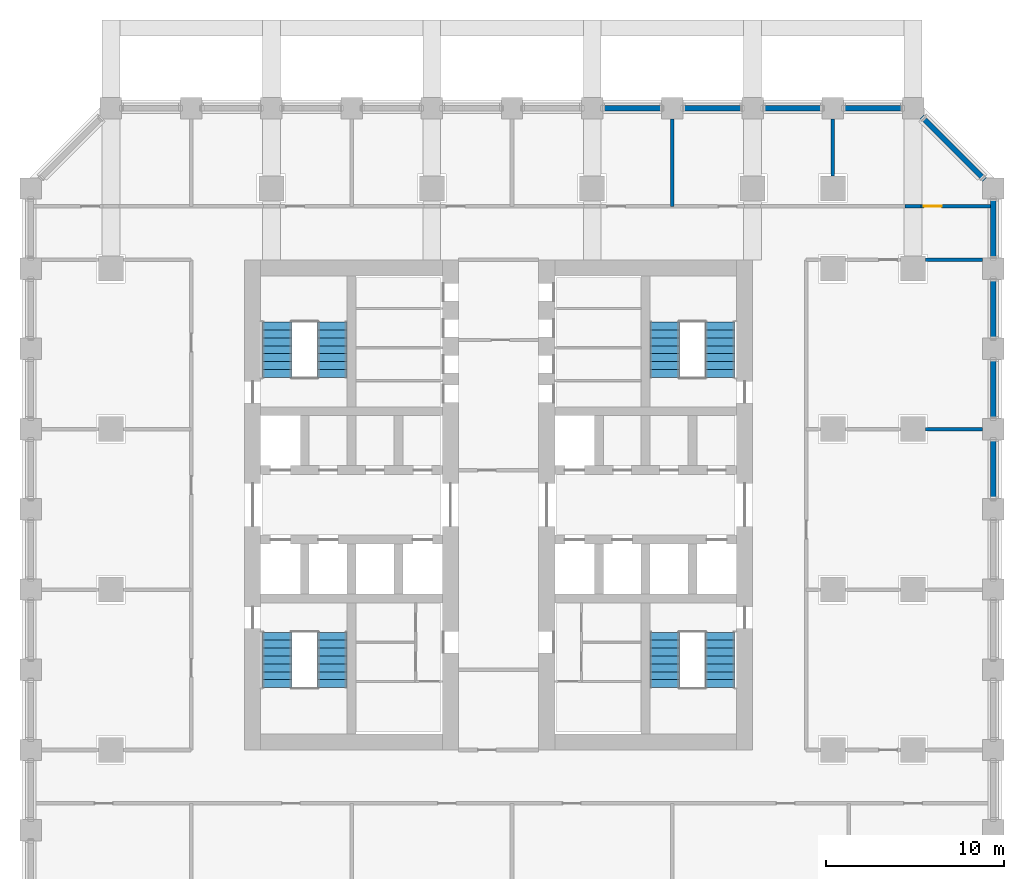
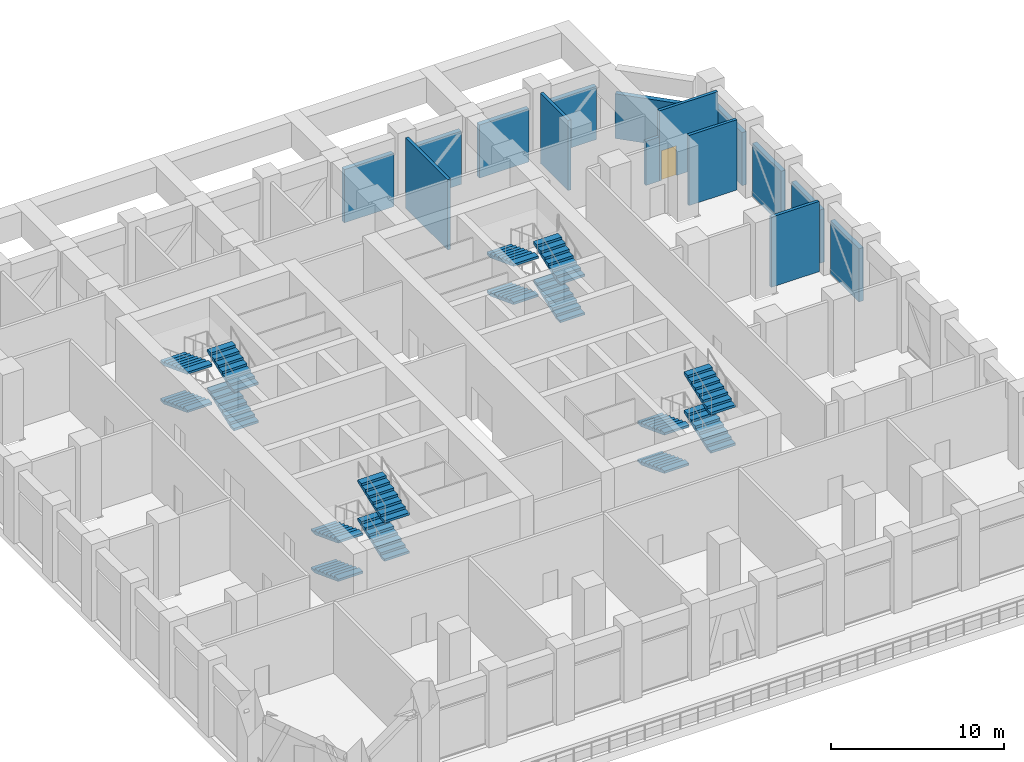
# One storey, part 7 of 20: 16 stair flights, 15 walls, 1 door, 1 opening, 4 elements without a shape of their own.
"""IFC4 building model written with IfcOpenShell, lengths in metres."""

from ifc_helpers import new_model, si_unit, direction, frame, frame_2d, origin, place, context, subcontext, project, spatial, polyline, rectangle, outline, extrude, material, layer, layer_set, type_object, element, fill, aggregate, save


model = new_model("IFC4")

# Units and contexts
model_context = context("Model", 3, precision=1e-05, world=origin(), true_north=direction((0.0, 1.0)))
body_context = subcontext(model_context, "Body", "Model", "MODEL_VIEW")
ifc_project = project(units=[si_unit("LENGTHUNIT", "METRE"), si_unit("AREAUNIT", "SQUARE_METRE"), si_unit("VOLUMEUNIT", "CUBIC_METRE"), si_unit("PLANEANGLEUNIT", "RADIAN"), si_unit("MASSUNIT", "GRAM", prefix="KILO")], contexts=[model_context])

# Site, building, storey
site_placement = place(None, origin())
site = spatial("IfcSite", under=ifc_project, at=site_placement, CompositionType="ELEMENT")
building_placement = place(site_placement, origin())
building = spatial("IfcBuilding", under=site, at=building_placement, Name="Corbel Stack Research Tower", CompositionType="ELEMENT")
storey_placement = place(building_placement, frame((0.0, 0.0, 76.60009765625)))
storey = spatial("IfcBuildingStorey", under=building, at=storey_placement, Name="L17", CompositionType="ELEMENT", Elevation=76.60009765625)

# Walls
ifc_material_1 = material(Name="Fire-rated gypsum board partition on steel studs", Category="steel")
ifc_layer_1 = layer(ifc_material_1, 0.199951171875)
ifc_layer_set_1 = layer_set([ifc_layer_1], Name="Fire-rated gypsum board partition on steel studs")
wall_type_1 = type_object("IfcWallType", Name="Fire-rated partition 200 EI 60", PredefinedType="PARTITIONING", material=ifc_layer_set_1)
wall_1_placement = place(storey_placement, frame((13.5, 21.5, 0.0), z_axis=(0.0, 0.0, 1.0), x_axis=(0.0, 1.0, 0.0)))
element("IfcWall", 1, at=wall_1_placement, inside=storey, type_object=wall_type_1, Name="Partition L17-009", PredefinedType="PARTITIONING", context=body_context, shape_type="SweptSolid", body=[
    extrude(rectangle(XDim=4.89990234375, YDim=0.199951171875, at=frame_2d((2.449951171875, 0.0))), origin(), (0.0, 0.0, 1.0), 4.949951171875),
])
for number, where, z_axis, x_axis, name in (
    (2, (22.5, 23.199951171875, 0.0), (0.0, 0.0, 1.0), (0.0, 1.0, 0.0), "Partition L17-011"),
    (3, (27.699951171875, 9.0, 0.0), (0.0, 0.0, 1.0), (1.0, 0.0, 0.0), "Partition L17-031"),
    (4, (27.699951171875, 18.5, 0.0), (0.0, 0.0, 1.0), (1.0, 0.0, 0.0), "Partition L17-038"),
):
    element("IfcWall", number, at=place(storey_placement, frame(where, z_axis=z_axis, x_axis=x_axis)), inside=storey, type_object=wall_type_1, Name=name, PredefinedType="PARTITIONING", context=body_context, shape_type="SweptSolid", body=[
        extrude(rectangle(XDim=3.199951171875, YDim=0.199951171875, at=frame_2d((1.60009765625, 0.0))), origin(), (0.0, 0.0, 1.0), 4.949951171875),
    ])
wall_2_placement = place(storey_placement, frame((26.550048828125, 21.5, 0.0), z_axis=(0.0, 0.0, 1.0), x_axis=(1.0, 0.0, 0.0)))
element("IfcWall", 5, at=wall_2_placement, inside=storey, type_object=wall_type_1, Name="Partition L17-050", PredefinedType="PARTITIONING", context=body_context, shape_type="SweptSolid", body=[
    extrude(rectangle(XDim=0.89990234375, YDim=0.199951171875, at=frame_2d((0.449951171875, 0.0))), origin(), (0.0, 0.0, 1.0), 3.119873046875),
])

# Wall, opening, door
wall_3_placement = place(storey_placement, frame((27.449951171875, 21.5, 0.0), z_axis=(0.0, 0.0, 1.0), x_axis=(1.0, 0.0, 0.0)))
wall_3 = element("IfcWall", 6, at=wall_3_placement, inside=storey, type_object=wall_type_1, Name="Partition L17-051", PredefinedType="PARTITIONING", context=body_context, shape_type="SweptSolid", body=[
    extrude(rectangle(XDim=3.900146484375, YDim=0.199951171875, at=frame_2d((1.9501953125, 0.0))), origin(), (0.0, 0.0, 1.0), 4.949951171875),
])
opening_placement = place(wall_3_placement, frame((0.14990234375, 0.0, 0.0)))
opening = element("IfcOpeningElement", 7, at=opening_placement, cuts=wall_3, Name="Opening PLANTL17-021", PredefinedType="OPENING", context=body_context, shape_type="SweptSolid", body=[
    extrude(rectangle(XDim=1.0, YDim=2.10009765625, at=frame_2d((0.5, 1.050048828125))), frame((0.0, 0.10986328125, 0.0), z_axis=(0.0, -1.0, 0.0), x_axis=(1.0, 0.0, 0.0)), (0.0, 0.0, 1.0), 0.219970703125),
])
ifc_material_2 = material(Name="Painted steel fire door", Category="steel")
door_type = type_object("IfcDoorType", Name="Fire door FD30S 1000 x 2100", OperationType="NOTDEFINED", PredefinedType="DOOR", material=ifc_material_2)
door_placement = place(opening_placement, origin())
door = element("IfcDoor", 8, at=door_placement, inside=storey, type_object=door_type, Name="Door PLANTL17-021", OperationType="SINGLE_SWING_LEFT", OverallHeight=2.10009765625, OverallWidth=1.0, PredefinedType="DOOR", context=body_context, shape_type="SweptSolid", body=[
    extrude(rectangle(XDim=1.0, YDim=2.10009765625, at=frame_2d((0.5, 1.050048828125))), frame((0.0, 0.02490234375, 0.0), z_axis=(0.0, -1.0, 0.0), x_axis=(1.0, 0.0, 0.0)), (0.0, 0.0, 1.0), 0.050048828125),
])
fill(opening, door)

# Walls
ifc_material_3 = material(Name="Concrete C45/55", Category="concrete")
ifc_layer_2 = layer(ifc_material_3, 0.300048828125)
ifc_layer_set_2 = layer_set([ifc_layer_2], Name="Concrete C45/55")
wall_type_2 = type_object("IfcWallType", Name="Terracotta-faced concrete wall 300", PredefinedType="SOLIDWALL", material=ifc_layer_set_2)
for number, where, z_axis, x_axis, name in (
    (9, (31.5, 8.39990234375, 0.0), (0.0, 0.0, 1.0), (0.0, -1.0, 0.0), "Facade wall L17 E06"),
    (10, (31.5, 12.89990234375, 0.0), (0.0, 0.0, 1.0), (0.0, -1.0, 0.0), "Facade wall L17 E07"),
    (11, (31.5, 17.39990234375, 0.0), (0.0, 0.0, 1.0), (0.0, -1.0, 0.0), "Facade wall L17 E08"),
    (12, (31.5, 21.89990234375, 0.0), (0.0, 0.0, 1.0), (0.0, -1.0, 0.0), "Facade wall L17 E09"),
):
    element("IfcWall", number, at=place(storey_placement, frame(where, z_axis=z_axis, x_axis=x_axis)), inside=storey, type_object=wall_type_2, Name=name, PredefinedType="SOLIDWALL", context=body_context, shape_type="SweptSolid", body=[
        extrude(rectangle(XDim=3.2998046875, YDim=0.300048828125, at=frame_2d((1.64990234375, 0.0))), origin(), (0.0, 0.0, 1.0), 3.75),
    ])
wall_4_placement = place(storey_placement, frame((27.493896484375, 26.506103515625, 0.0), z_axis=(0.0, 0.0, 1.0), x_axis=(0.707106781187, -0.707106781187, 0.0)))
element("IfcWall", 13, at=wall_4_placement, inside=storey, type_object=wall_type_2, Name="Facade wall L17 NE01", PredefinedType="SOLIDWALL", context=body_context, shape_type="SweptSolid", body=[
    extrude(rectangle(XDim=4.967041015625, YDim=0.300048828125, at=frame_2d((2.4833984375, 0.0))), origin(), (0.0, 0.0, 1.0), 3.14990234375),
])
for number, where, z_axis, x_axis, name in (
    (14, (23.10009765625, 27.0, 0.0), (0.0, 0.0, 1.0), (1.0, 0.0, 0.0), "Facade wall L17 N01"),
    (15, (18.60009765625, 27.0, 0.0), (0.0, 0.0, 1.0), (1.0, 0.0, 0.0), "Facade wall L17 N02"),
    (16, (14.10009765625, 27.0, 0.0), (0.0, 0.0, 1.0), (1.0, 0.0, 0.0), "Facade wall L17 N03"),
    (17, (9.60009765625, 27.0, 0.0), (0.0, 0.0, 1.0), (1.0, 0.0, 0.0), "Facade wall L17 N04"),
):
    element("IfcWall", number, at=place(storey_placement, frame(where, z_axis=z_axis, x_axis=x_axis)), inside=storey, type_object=wall_type_2, Name=name, PredefinedType="SOLIDWALL", context=body_context, shape_type="SweptSolid", body=[
        extrude(rectangle(XDim=3.2998046875, YDim=0.300048828125, at=frame_2d((1.64990234375, 0.0))), origin(), (0.0, 0.0, 1.0), 3.75),
    ])

# Stair, stair flights
ifc_material_4 = material(Name="Concrete C40/50", Category="concrete")
stair_type = type_object("IfcStairType", Name="Exit stair 32 risers, 443 going", PredefinedType="HALF_TURN_STAIR", material=ifc_material_4)
stair_1_placement = place(storey_placement, origin())
stair_1 = element("IfcStair", 18, at=stair_1_placement, inside=storey, type_object=stair_type, Name="L17 Exit stair ST-W1", PredefinedType="HALF_TURN_STAIR")
ifc_material_5 = material(Name="Concrete C40/50", Category="concrete")
stair_flight_type = type_object("IfcStairFlightType", Name="Stair flight 8 risers, 443 going", PredefinedType="STRAIGHT", material=ifc_material_5)
stair_flight_1_placement = place(storey_placement, frame((-8.675048828125, -2.39990234375, 0.0), z_axis=(0.0, 0.0, 1.0), x_axis=(0.0, -1.0, 0.0)))
stair_flight_1 = element("IfcStairFlight", 19, at=stair_flight_1_placement, type_object=stair_flight_type, Name="ST-W1 flight 1", NumberOfRisers=8, NumberOfTreads=7, PredefinedType="STRAIGHT", RiserHeight=0.16875, TreadLength=0.443, context=body_context, shape_type="SweptSolid", body=[
    extrude(outline(polyline([(0.0, 0.0), (0.0, 0.168701171875), (0.443115234375, 0.168701171875), (0.443115234375, 0.33740234375), (0.885986328125, 0.33740234375), (0.885986328125, 0.50634765625), (1.3291015625, 0.50634765625), (1.3291015625, 0.675048828125), (1.77197265625, 0.675048828125), (1.77197265625, 0.84375), (2.215087890625, 0.84375), (2.215087890625, 1.012451171875), (2.657958984375, 1.012451171875), (2.657958984375, 1.18115234375), (3.10107421875, 1.18115234375), (3.10107421875, 1.35009765625), (3.10107421875, 1.020751953125), (0.421142578125, 0.0), (0.0, 0.0)])), frame((0.0, 0.824951171875, 0.0), z_axis=(0.0, -1.0, 0.0), x_axis=(1.0, 0.0, 0.0)), (0.0, 0.0, 1.0), 1.64990234375),
])
stair_flight_2_placement = place(storey_placement, frame((-5.574951171875, -5.5009765625, 1.349853515625), z_axis=(0.0, 0.0, 1.0), x_axis=(0.0, 1.0, 0.0)))
stair_flight_2 = element("IfcStairFlight", 20, at=stair_flight_2_placement, type_object=stair_flight_type, Name="ST-W1 flight 2", NumberOfRisers=8, NumberOfTreads=7, PredefinedType="STRAIGHT", RiserHeight=0.16875, TreadLength=0.443, context=body_context, shape_type="SweptSolid", body=[
    extrude(outline(polyline([(0.0, 0.0), (0.0, 0.168701171875), (0.443115234375, 0.168701171875), (0.443115234375, 0.33740234375), (0.885986328125, 0.33740234375), (0.885986328125, 0.50634765625), (1.3291015625, 0.50634765625), (1.3291015625, 0.675048828125), (1.77197265625, 0.675048828125), (1.77197265625, 0.84375), (2.215087890625, 0.84375), (2.215087890625, 1.012451171875), (2.657958984375, 1.012451171875), (2.657958984375, 1.18115234375), (3.10107421875, 1.18115234375), (3.10107421875, 1.35009765625), (3.10107421875, 1.020751953125), (0.421142578125, 0.0), (0.0, 0.0)])), frame((0.0, 0.824951171875, 0.0), z_axis=(0.0, -1.0, 0.0), x_axis=(1.0, 0.0, 0.0)), (0.0, 0.0, 1.0), 1.64990234375),
])
stair_flight_3_placement = place(storey_placement, frame((-8.675048828125, -2.39990234375, 2.699951171875), z_axis=(0.0, 0.0, 1.0), x_axis=(0.0, -1.0, 0.0)))
stair_flight_3 = element("IfcStairFlight", 21, at=stair_flight_3_placement, type_object=stair_flight_type, Name="ST-W1 flight 3", NumberOfRisers=8, NumberOfTreads=7, PredefinedType="STRAIGHT", RiserHeight=0.16875, TreadLength=0.443, context=body_context, shape_type="SweptSolid", body=[
    extrude(outline(polyline([(0.0, 0.0), (0.0, 0.168701171875), (0.443115234375, 0.168701171875), (0.443115234375, 0.33740234375), (0.885986328125, 0.33740234375), (0.885986328125, 0.50634765625), (1.3291015625, 0.50634765625), (1.3291015625, 0.675048828125), (1.77197265625, 0.675048828125), (1.77197265625, 0.84375), (2.215087890625, 0.84375), (2.215087890625, 1.012451171875), (2.657958984375, 1.012451171875), (2.657958984375, 1.18115234375), (3.10107421875, 1.18115234375), (3.10107421875, 1.35009765625), (3.10107421875, 1.020751953125), (0.421142578125, 0.0), (0.0, 0.0)])), frame((0.0, 0.824951171875, 0.0), z_axis=(0.0, -1.0, 0.0), x_axis=(1.0, 0.0, 0.0)), (0.0, 0.0, 1.0), 1.64990234375),
])
stair_flight_4_placement = place(storey_placement, frame((-5.574951171875, -5.5009765625, 4.0498046875), z_axis=(0.0, 0.0, 1.0), x_axis=(0.0, 1.0, 0.0)))
stair_flight_4 = element("IfcStairFlight", 22, at=stair_flight_4_placement, type_object=stair_flight_type, Name="ST-W1 flight 4", NumberOfRisers=8, NumberOfTreads=7, PredefinedType="STRAIGHT", RiserHeight=0.16875, TreadLength=0.443, context=body_context, shape_type="SweptSolid", body=[
    extrude(outline(polyline([(0.0, 0.0), (0.0, 0.168701171875), (0.443115234375, 0.168701171875), (0.443115234375, 0.33740234375), (0.885986328125, 0.33740234375), (0.885986328125, 0.50634765625), (1.3291015625, 0.50634765625), (1.3291015625, 0.675048828125), (1.77197265625, 0.675048828125), (1.77197265625, 0.84375), (2.215087890625, 0.84375), (2.215087890625, 1.012451171875), (2.657958984375, 1.012451171875), (2.657958984375, 1.18115234375), (3.10107421875, 1.18115234375), (3.10107421875, 1.35009765625), (3.10107421875, 1.020751953125), (0.421142578125, 0.0), (0.0, 0.0)])), frame((0.0, 0.824951171875, 0.0), z_axis=(0.0, -1.0, 0.0), x_axis=(1.0, 0.0, 0.0)), (0.0, 0.0, 1.0), 1.64990234375),
])
aggregate(stair_1, [stair_flight_1, stair_flight_2, stair_flight_3, stair_flight_4])

stair_2_placement = place(storey_placement, origin())
stair_2 = element("IfcStair", 23, at=stair_2_placement, inside=storey, type_object=stair_type, Name="L17 Exit stair ST-W2", PredefinedType="HALF_TURN_STAIR")
stair_flight_5_placement = place(storey_placement, frame((-5.574951171875, 11.89990234375, 0.0), z_axis=(0.0, 0.0, 1.0), x_axis=(0.0, 1.0, 0.0)))
stair_flight_5 = element("IfcStairFlight", 24, at=stair_flight_5_placement, type_object=stair_flight_type, Name="ST-W2 flight 1", NumberOfRisers=8, NumberOfTreads=7, PredefinedType="STRAIGHT", RiserHeight=0.16875, TreadLength=0.443, context=body_context, shape_type="SweptSolid", body=[
    extrude(outline(polyline([(0.0, 0.0), (0.0, 0.168701171875), (0.443115234375, 0.168701171875), (0.443115234375, 0.33740234375), (0.885986328125, 0.33740234375), (0.885986328125, 0.50634765625), (1.3291015625, 0.50634765625), (1.3291015625, 0.675048828125), (1.77197265625, 0.675048828125), (1.77197265625, 0.84375), (2.215087890625, 0.84375), (2.215087890625, 1.012451171875), (2.657958984375, 1.012451171875), (2.657958984375, 1.18115234375), (3.10107421875, 1.18115234375), (3.10107421875, 1.35009765625), (3.10107421875, 1.020751953125), (0.421142578125, 0.0), (0.0, 0.0)])), frame((0.0, 0.824951171875, 0.0), z_axis=(0.0, -1.0, 0.0), x_axis=(1.0, 0.0, 0.0)), (0.0, 0.0, 1.0), 1.64990234375),
])
stair_flight_6_placement = place(storey_placement, frame((-8.675048828125, 15.0009765625, 1.349853515625), z_axis=(0.0, 0.0, 1.0), x_axis=(0.0, -1.0, 0.0)))
stair_flight_6 = element("IfcStairFlight", 25, at=stair_flight_6_placement, type_object=stair_flight_type, Name="ST-W2 flight 2", NumberOfRisers=8, NumberOfTreads=7, PredefinedType="STRAIGHT", RiserHeight=0.16875, TreadLength=0.443, context=body_context, shape_type="SweptSolid", body=[
    extrude(outline(polyline([(0.0, 0.0), (0.0, 0.168701171875), (0.443115234375, 0.168701171875), (0.443115234375, 0.33740234375), (0.885986328125, 0.33740234375), (0.885986328125, 0.50634765625), (1.3291015625, 0.50634765625), (1.3291015625, 0.675048828125), (1.77197265625, 0.675048828125), (1.77197265625, 0.84375), (2.215087890625, 0.84375), (2.215087890625, 1.012451171875), (2.657958984375, 1.012451171875), (2.657958984375, 1.18115234375), (3.10107421875, 1.18115234375), (3.10107421875, 1.35009765625), (3.10107421875, 1.020751953125), (0.421142578125, 0.0), (0.0, 0.0)])), frame((0.0, 0.824951171875, 0.0), z_axis=(0.0, -1.0, 0.0), x_axis=(1.0, 0.0, 0.0)), (0.0, 0.0, 1.0), 1.64990234375),
])
stair_flight_7_placement = place(storey_placement, frame((-5.574951171875, 11.89990234375, 2.699951171875), z_axis=(0.0, 0.0, 1.0), x_axis=(0.0, 1.0, 0.0)))
stair_flight_7 = element("IfcStairFlight", 26, at=stair_flight_7_placement, type_object=stair_flight_type, Name="ST-W2 flight 3", NumberOfRisers=8, NumberOfTreads=7, PredefinedType="STRAIGHT", RiserHeight=0.16875, TreadLength=0.443, context=body_context, shape_type="SweptSolid", body=[
    extrude(outline(polyline([(0.0, 0.0), (0.0, 0.168701171875), (0.443115234375, 0.168701171875), (0.443115234375, 0.33740234375), (0.885986328125, 0.33740234375), (0.885986328125, 0.50634765625), (1.3291015625, 0.50634765625), (1.3291015625, 0.675048828125), (1.77197265625, 0.675048828125), (1.77197265625, 0.84375), (2.215087890625, 0.84375), (2.215087890625, 1.012451171875), (2.657958984375, 1.012451171875), (2.657958984375, 1.18115234375), (3.10107421875, 1.18115234375), (3.10107421875, 1.35009765625), (3.10107421875, 1.020751953125), (0.421142578125, 0.0), (0.0, 0.0)])), frame((0.0, 0.824951171875, 0.0), z_axis=(0.0, -1.0, 0.0), x_axis=(1.0, 0.0, 0.0)), (0.0, 0.0, 1.0), 1.64990234375),
])
stair_flight_8_placement = place(storey_placement, frame((-8.675048828125, 15.0009765625, 4.0498046875), z_axis=(0.0, 0.0, 1.0), x_axis=(0.0, -1.0, 0.0)))
stair_flight_8 = element("IfcStairFlight", 27, at=stair_flight_8_placement, type_object=stair_flight_type, Name="ST-W2 flight 4", NumberOfRisers=8, NumberOfTreads=7, PredefinedType="STRAIGHT", RiserHeight=0.16875, TreadLength=0.443, context=body_context, shape_type="SweptSolid", body=[
    extrude(outline(polyline([(0.0, 0.0), (0.0, 0.168701171875), (0.443115234375, 0.168701171875), (0.443115234375, 0.33740234375), (0.885986328125, 0.33740234375), (0.885986328125, 0.50634765625), (1.3291015625, 0.50634765625), (1.3291015625, 0.675048828125), (1.77197265625, 0.675048828125), (1.77197265625, 0.84375), (2.215087890625, 0.84375), (2.215087890625, 1.012451171875), (2.657958984375, 1.012451171875), (2.657958984375, 1.18115234375), (3.10107421875, 1.18115234375), (3.10107421875, 1.35009765625), (3.10107421875, 1.020751953125), (0.421142578125, 0.0), (0.0, 0.0)])), frame((0.0, 0.824951171875, 0.0), z_axis=(0.0, -1.0, 0.0), x_axis=(1.0, 0.0, 0.0)), (0.0, 0.0, 1.0), 1.64990234375),
])
aggregate(stair_2, [stair_flight_5, stair_flight_6, stair_flight_7, stair_flight_8])

stair_3_placement = place(storey_placement, origin())
stair_3 = element("IfcStair", 28, at=stair_3_placement, inside=storey, type_object=stair_type, Name="L17 Exit stair ST-E1", PredefinedType="HALF_TURN_STAIR")
stair_flight_9_placement = place(storey_placement, frame((13.074951171875, -2.39990234375, 0.0), z_axis=(0.0, 0.0, 1.0), x_axis=(0.0, -1.0, 0.0)))
stair_flight_9 = element("IfcStairFlight", 29, at=stair_flight_9_placement, type_object=stair_flight_type, Name="ST-E1 flight 1", NumberOfRisers=8, NumberOfTreads=7, PredefinedType="STRAIGHT", RiserHeight=0.16875, TreadLength=0.443, context=body_context, shape_type="SweptSolid", body=[
    extrude(outline(polyline([(0.0, 0.0), (0.0, 0.168701171875), (0.443115234375, 0.168701171875), (0.443115234375, 0.33740234375), (0.885986328125, 0.33740234375), (0.885986328125, 0.50634765625), (1.3291015625, 0.50634765625), (1.3291015625, 0.675048828125), (1.77197265625, 0.675048828125), (1.77197265625, 0.84375), (2.215087890625, 0.84375), (2.215087890625, 1.012451171875), (2.657958984375, 1.012451171875), (2.657958984375, 1.18115234375), (3.10107421875, 1.18115234375), (3.10107421875, 1.35009765625), (3.10107421875, 1.020751953125), (0.421142578125, 0.0), (0.0, 0.0)])), frame((0.0, 0.824951171875, 0.0), z_axis=(0.0, -1.0, 0.0), x_axis=(1.0, 0.0, 0.0)), (0.0, 0.0, 1.0), 1.64990234375),
])
stair_flight_10_placement = place(storey_placement, frame((16.175048828125, -5.5009765625, 1.349853515625), z_axis=(0.0, 0.0, 1.0), x_axis=(0.0, 1.0, 0.0)))
stair_flight_10 = element("IfcStairFlight", 30, at=stair_flight_10_placement, type_object=stair_flight_type, Name="ST-E1 flight 2", NumberOfRisers=8, NumberOfTreads=7, PredefinedType="STRAIGHT", RiserHeight=0.16875, TreadLength=0.443, context=body_context, shape_type="SweptSolid", body=[
    extrude(outline(polyline([(0.0, 0.0), (0.0, 0.168701171875), (0.443115234375, 0.168701171875), (0.443115234375, 0.33740234375), (0.885986328125, 0.33740234375), (0.885986328125, 0.50634765625), (1.3291015625, 0.50634765625), (1.3291015625, 0.675048828125), (1.77197265625, 0.675048828125), (1.77197265625, 0.84375), (2.215087890625, 0.84375), (2.215087890625, 1.012451171875), (2.657958984375, 1.012451171875), (2.657958984375, 1.18115234375), (3.10107421875, 1.18115234375), (3.10107421875, 1.35009765625), (3.10107421875, 1.020751953125), (0.421142578125, 0.0), (0.0, 0.0)])), frame((0.0, 0.824951171875, 0.0), z_axis=(0.0, -1.0, 0.0), x_axis=(1.0, 0.0, 0.0)), (0.0, 0.0, 1.0), 1.64990234375),
])
stair_flight_11_placement = place(storey_placement, frame((13.074951171875, -2.39990234375, 2.699951171875), z_axis=(0.0, 0.0, 1.0), x_axis=(0.0, -1.0, 0.0)))
stair_flight_11 = element("IfcStairFlight", 31, at=stair_flight_11_placement, type_object=stair_flight_type, Name="ST-E1 flight 3", NumberOfRisers=8, NumberOfTreads=7, PredefinedType="STRAIGHT", RiserHeight=0.16875, TreadLength=0.443, context=body_context, shape_type="SweptSolid", body=[
    extrude(outline(polyline([(0.0, 0.0), (0.0, 0.168701171875), (0.443115234375, 0.168701171875), (0.443115234375, 0.33740234375), (0.885986328125, 0.33740234375), (0.885986328125, 0.50634765625), (1.3291015625, 0.50634765625), (1.3291015625, 0.675048828125), (1.77197265625, 0.675048828125), (1.77197265625, 0.84375), (2.215087890625, 0.84375), (2.215087890625, 1.012451171875), (2.657958984375, 1.012451171875), (2.657958984375, 1.18115234375), (3.10107421875, 1.18115234375), (3.10107421875, 1.35009765625), (3.10107421875, 1.020751953125), (0.421142578125, 0.0), (0.0, 0.0)])), frame((0.0, 0.824951171875, 0.0), z_axis=(0.0, -1.0, 0.0), x_axis=(1.0, 0.0, 0.0)), (0.0, 0.0, 1.0), 1.64990234375),
])
stair_flight_12_placement = place(storey_placement, frame((16.175048828125, -5.5009765625, 4.0498046875), z_axis=(0.0, 0.0, 1.0), x_axis=(0.0, 1.0, 0.0)))
stair_flight_12 = element("IfcStairFlight", 32, at=stair_flight_12_placement, type_object=stair_flight_type, Name="ST-E1 flight 4", NumberOfRisers=8, NumberOfTreads=7, PredefinedType="STRAIGHT", RiserHeight=0.16875, TreadLength=0.443, context=body_context, shape_type="SweptSolid", body=[
    extrude(outline(polyline([(0.0, 0.0), (0.0, 0.168701171875), (0.443115234375, 0.168701171875), (0.443115234375, 0.33740234375), (0.885986328125, 0.33740234375), (0.885986328125, 0.50634765625), (1.3291015625, 0.50634765625), (1.3291015625, 0.675048828125), (1.77197265625, 0.675048828125), (1.77197265625, 0.84375), (2.215087890625, 0.84375), (2.215087890625, 1.012451171875), (2.657958984375, 1.012451171875), (2.657958984375, 1.18115234375), (3.10107421875, 1.18115234375), (3.10107421875, 1.35009765625), (3.10107421875, 1.020751953125), (0.421142578125, 0.0), (0.0, 0.0)])), frame((0.0, 0.824951171875, 0.0), z_axis=(0.0, -1.0, 0.0), x_axis=(1.0, 0.0, 0.0)), (0.0, 0.0, 1.0), 1.64990234375),
])
aggregate(stair_3, [stair_flight_9, stair_flight_10, stair_flight_11, stair_flight_12])

stair_4_placement = place(storey_placement, origin())
stair_4 = element("IfcStair", 33, at=stair_4_placement, inside=storey, type_object=stair_type, Name="L17 Exit stair ST-E2", PredefinedType="HALF_TURN_STAIR")
stair_flight_13_placement = place(storey_placement, frame((16.175048828125, 11.89990234375, 0.0), z_axis=(0.0, 0.0, 1.0), x_axis=(0.0, 1.0, 0.0)))
stair_flight_13 = element("IfcStairFlight", 34, at=stair_flight_13_placement, type_object=stair_flight_type, Name="ST-E2 flight 1", NumberOfRisers=8, NumberOfTreads=7, PredefinedType="STRAIGHT", RiserHeight=0.16875, TreadLength=0.443, context=body_context, shape_type="SweptSolid", body=[
    extrude(outline(polyline([(0.0, 0.0), (0.0, 0.168701171875), (0.443115234375, 0.168701171875), (0.443115234375, 0.33740234375), (0.885986328125, 0.33740234375), (0.885986328125, 0.50634765625), (1.3291015625, 0.50634765625), (1.3291015625, 0.675048828125), (1.77197265625, 0.675048828125), (1.77197265625, 0.84375), (2.215087890625, 0.84375), (2.215087890625, 1.012451171875), (2.657958984375, 1.012451171875), (2.657958984375, 1.18115234375), (3.10107421875, 1.18115234375), (3.10107421875, 1.35009765625), (3.10107421875, 1.020751953125), (0.421142578125, 0.0), (0.0, 0.0)])), frame((0.0, 0.824951171875, 0.0), z_axis=(0.0, -1.0, 0.0), x_axis=(1.0, 0.0, 0.0)), (0.0, 0.0, 1.0), 1.64990234375),
])
stair_flight_14_placement = place(storey_placement, frame((13.074951171875, 15.0009765625, 1.349853515625), z_axis=(0.0, 0.0, 1.0), x_axis=(0.0, -1.0, 0.0)))
stair_flight_14 = element("IfcStairFlight", 35, at=stair_flight_14_placement, type_object=stair_flight_type, Name="ST-E2 flight 2", NumberOfRisers=8, NumberOfTreads=7, PredefinedType="STRAIGHT", RiserHeight=0.16875, TreadLength=0.443, context=body_context, shape_type="SweptSolid", body=[
    extrude(outline(polyline([(0.0, 0.0), (0.0, 0.168701171875), (0.443115234375, 0.168701171875), (0.443115234375, 0.33740234375), (0.885986328125, 0.33740234375), (0.885986328125, 0.50634765625), (1.3291015625, 0.50634765625), (1.3291015625, 0.675048828125), (1.77197265625, 0.675048828125), (1.77197265625, 0.84375), (2.215087890625, 0.84375), (2.215087890625, 1.012451171875), (2.657958984375, 1.012451171875), (2.657958984375, 1.18115234375), (3.10107421875, 1.18115234375), (3.10107421875, 1.35009765625), (3.10107421875, 1.020751953125), (0.421142578125, 0.0), (0.0, 0.0)])), frame((0.0, 0.824951171875, 0.0), z_axis=(0.0, -1.0, 0.0), x_axis=(1.0, 0.0, 0.0)), (0.0, 0.0, 1.0), 1.64990234375),
])
stair_flight_15_placement = place(storey_placement, frame((16.175048828125, 11.89990234375, 2.699951171875), z_axis=(0.0, 0.0, 1.0), x_axis=(0.0, 1.0, 0.0)))
stair_flight_15 = element("IfcStairFlight", 36, at=stair_flight_15_placement, type_object=stair_flight_type, Name="ST-E2 flight 3", NumberOfRisers=8, NumberOfTreads=7, PredefinedType="STRAIGHT", RiserHeight=0.16875, TreadLength=0.443, context=body_context, shape_type="SweptSolid", body=[
    extrude(outline(polyline([(0.0, 0.0), (0.0, 0.168701171875), (0.443115234375, 0.168701171875), (0.443115234375, 0.33740234375), (0.885986328125, 0.33740234375), (0.885986328125, 0.50634765625), (1.3291015625, 0.50634765625), (1.3291015625, 0.675048828125), (1.77197265625, 0.675048828125), (1.77197265625, 0.84375), (2.215087890625, 0.84375), (2.215087890625, 1.012451171875), (2.657958984375, 1.012451171875), (2.657958984375, 1.18115234375), (3.10107421875, 1.18115234375), (3.10107421875, 1.35009765625), (3.10107421875, 1.020751953125), (0.421142578125, 0.0), (0.0, 0.0)])), frame((0.0, 0.824951171875, 0.0), z_axis=(0.0, -1.0, 0.0), x_axis=(1.0, 0.0, 0.0)), (0.0, 0.0, 1.0), 1.64990234375),
])
stair_flight_16_placement = place(storey_placement, frame((13.074951171875, 15.0009765625, 4.0498046875), z_axis=(0.0, 0.0, 1.0), x_axis=(0.0, -1.0, 0.0)))
stair_flight_16 = element("IfcStairFlight", 37, at=stair_flight_16_placement, type_object=stair_flight_type, Name="ST-E2 flight 4", NumberOfRisers=8, NumberOfTreads=7, PredefinedType="STRAIGHT", RiserHeight=0.16875, TreadLength=0.443, context=body_context, shape_type="SweptSolid", body=[
    extrude(outline(polyline([(0.0, 0.0), (0.0, 0.168701171875), (0.443115234375, 0.168701171875), (0.443115234375, 0.33740234375), (0.885986328125, 0.33740234375), (0.885986328125, 0.50634765625), (1.3291015625, 0.50634765625), (1.3291015625, 0.675048828125), (1.77197265625, 0.675048828125), (1.77197265625, 0.84375), (2.215087890625, 0.84375), (2.215087890625, 1.012451171875), (2.657958984375, 1.012451171875), (2.657958984375, 1.18115234375), (3.10107421875, 1.18115234375), (3.10107421875, 1.35009765625), (3.10107421875, 1.020751953125), (0.421142578125, 0.0), (0.0, 0.0)])), frame((0.0, 0.824951171875, 0.0), z_axis=(0.0, -1.0, 0.0), x_axis=(1.0, 0.0, 0.0)), (0.0, 0.0, 1.0), 1.64990234375),
])
aggregate(stair_4, [stair_flight_13, stair_flight_14, stair_flight_15, stair_flight_16])

save(model, "model.ifc")
